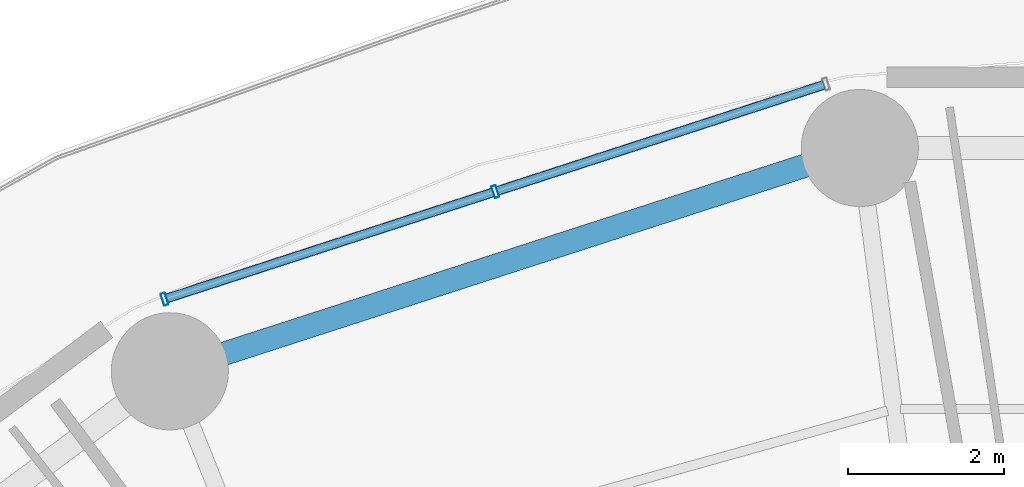
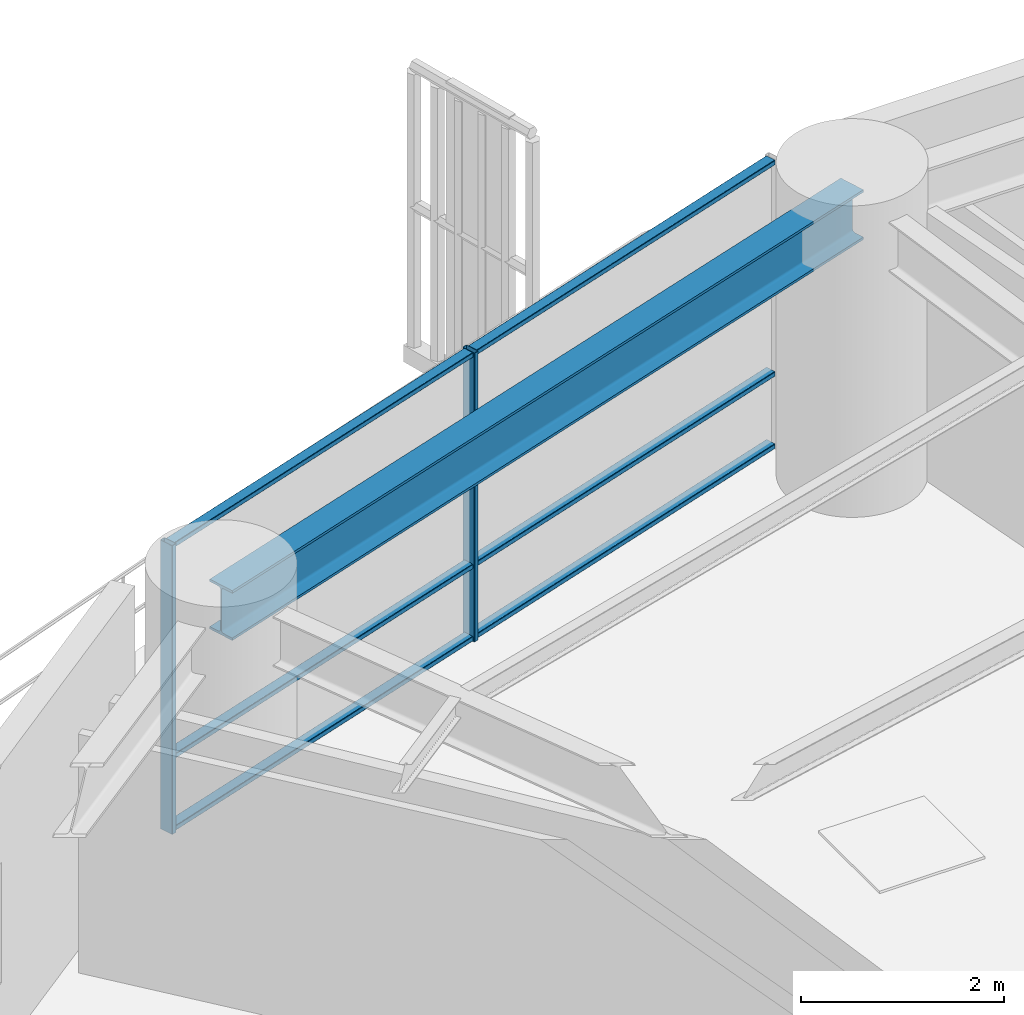
# One storey, part 17 of 32: 8 members, 1 beam, 1 element without a shape of its own.
"""IFC4 building model written with IfcOpenShell, lengths in metres."""

from ifc_helpers import new_model, si_unit, direction, frame, origin, origin_2d, place, context, subcontext, project, spatial, hollow_rectangle, i_section, extrude, material, layer, layer_set, material_profile, profile_set, type_object, element, aggregate, save


model = new_model("IFC4")

# Units and contexts
model_context = context("Model", 3, precision=1e-05, world=origin(), true_north=direction((0.0, 1.0)))
body_context = subcontext(model_context, "Body", "Model", "MODEL_VIEW")
ifc_project = project(units=[si_unit("LENGTHUNIT", "METRE"), si_unit("AREAUNIT", "SQUARE_METRE"), si_unit("VOLUMEUNIT", "CUBIC_METRE"), si_unit("PLANEANGLEUNIT", "RADIAN"), si_unit("MASSUNIT", "GRAM", prefix="KILO")], contexts=[model_context])

# Site, building, storey
site_placement = place(None, origin())
site = spatial("IfcSite", under=ifc_project, at=site_placement, CompositionType="ELEMENT")
building_placement = place(site_placement, origin())
building = spatial("IfcBuilding", under=site, at=building_placement, Name="Kelanora Arch Commons", CompositionType="ELEMENT")
storey_placement = place(building_placement, frame((0.0, 0.0, 60.0)))
storey = spatial("IfcBuildingStorey", under=building, at=storey_placement, Name="L15", CompositionType="ELEMENT", Elevation=60.0)

# Beam
ifc_material_1 = material(Name="Steel S355", Category="steel")
ifc_material_profile_1 = material_profile(ifc_material_1, i_section(OverallWidth=0.300048828125, OverallDepth=0.60009765625, WebThickness=0.015380859375, FlangeThickness=0.030029296875, FilletRadius=0.027099609375, at=origin_2d()), Name="HEB600")
ifc_profile_set_1 = profile_set([ifc_material_profile_1], Name="Steel S355")
beam_type = type_object("IfcBeamType", Name="BM-SPN-Z1", PredefinedType="SPANDREL", material=ifc_profile_set_1)
beam_placement = place(storey_placement, frame((69.297607421875, 81.714111328125, 3.18994140625), z_axis=(-0.951417120402, -0.307904957748, 0.0), x_axis=(0.307904957748, -0.951417120402, 0.0)))
element("IfcBeam", 1, at=beam_placement, inside=storey, type_object=beam_type, Name="Perimeter Spandrel Beam BS-10 L15", PredefinedType="SPANDREL", context=body_context, shape_type="SweptSolid", body=[
    extrude(i_section(OverallWidth=0.300048828125, OverallDepth=0.60009765625, WebThickness=0.015380859375, FlangeThickness=0.030029296875, FilletRadius=0.027099609375, at=origin_2d()), origin(), (0.0, 0.0, 1.0), 9.288818359375),
])

# Curtain wall, members
ifc_material_2 = material(Name="Terracotta ceramic-fritted low-E glass and aluminium", Category="masonry")
ifc_layer = layer(ifc_material_2, 0.159912109375)
ifc_layer_set = layer_set([ifc_layer], Name="Terracotta ceramic-fritted low-E glass and aluminium")
curtain_wall_type = type_object("IfcCurtainWallType", Name="CW-SYS-01", PredefinedType="NOTDEFINED", material=ifc_layer_set)
curtain_wall_placement = place(storey_placement, origin())
curtain_wall = element("IfcCurtainWall", 2, at=curtain_wall_placement, inside=storey, type_object=curtain_wall_type, Name="Unitised Curtain Wall L15-B05", PredefinedType="NOTDEFINED")
ifc_material_3 = material(Name="Powder-coated aluminium terracotta", Category="masonry")
ifc_material_profile_2 = material_profile(ifc_material_3, hollow_rectangle(XDim=0.159912109375, YDim=0.06005859375, WallThickness=0.0048828125, InnerFilletRadius=0.0048828125, OuterFilletRadius=0.010009765625, at=origin_2d()), Name="CWM160x60")
ifc_profile_set_2 = profile_set([ifc_material_profile_2], Name="Powder-coated aluminium terracotta")
member_type_1 = type_object("IfcMemberType", Name="CWM-STD", PredefinedType="MULLION", material=ifc_profile_set_2)
member_1_placement = place(storey_placement, frame((64.62890625, 81.15478515625, 0.0), z_axis=(0.0, 0.0, 1.0), x_axis=(0.30905758454, -0.951043326793, 0.0)))
member_1 = element("IfcMember", 3, at=member_1_placement, type_object=member_type_1, Name="CW-01 mullion 2", PredefinedType="MULLION", context=body_context, shape_type="SweptSolid", body=[
    extrude(hollow_rectangle(XDim=0.159912109375, YDim=0.06005859375, WallThickness=0.0048828125, InnerFilletRadius=0.0048828125, OuterFilletRadius=0.010009765625, at=origin_2d()), origin(), (0.0, 0.0, 1.0), 3.47509765625),
])
member_2_placement = place(storey_placement, frame((60.392333984375, 79.778076171875, 0.0), z_axis=(0.0, 0.0, 1.0), x_axis=(0.30905758454, -0.951043326793, 0.0)))
member_2 = element("IfcMember", 4, at=member_2_placement, type_object=member_type_1, Name="CW-01 mullion 3", PredefinedType="MULLION", context=body_context, shape_type="SweptSolid", body=[
    extrude(hollow_rectangle(XDim=0.159912109375, YDim=0.06005859375, WallThickness=0.0048828125, InnerFilletRadius=0.0048828125, OuterFilletRadius=0.010009765625, at=origin_2d()), origin(), (0.0, 0.0, 1.0), 3.47509765625),
])
ifc_material_profile_3 = material_profile(ifc_material_3, hollow_rectangle(XDim=0.1201171875, YDim=0.06005859375, WallThickness=0.0048828125, InnerFilletRadius=0.0048828125, OuterFilletRadius=0.010009765625, at=origin_2d()), Name="CWT120x60")
ifc_profile_set_3 = profile_set([ifc_material_profile_3], Name="Powder-coated aluminium terracotta")
member_type_2 = type_object("IfcMemberType", Name="CWT-STD", PredefinedType="USERDEFINED", material=ifc_profile_set_3)
member_3_placement = place(storey_placement, frame((68.8369140625, 82.5224609375, 0.030029296875), z_axis=(-0.951028761285, -0.309102402464, 0.0), x_axis=(0.309102402464, -0.951028761285, 0.0)))
member_3 = element("IfcMember", 5, at=member_3_placement, type_object=member_type_2, Name="CW-01 transom 1.1", ObjectType="TRANSOM", PredefinedType="USERDEFINED", context=body_context, shape_type="SweptSolid", body=[
    extrude(hollow_rectangle(XDim=0.1201171875, YDim=0.06005859375, WallThickness=0.0048828125, InnerFilletRadius=0.0048828125, OuterFilletRadius=0.010009765625, at=origin_2d()), origin(), (0.0, 0.0, 1.0), 4.394775390625),
])
member_4_placement = place(storey_placement, frame((68.8369140625, 82.5224609375, 0.89990234375), z_axis=(-0.951028761285, -0.309102402464, 0.0), x_axis=(0.309102402464, -0.951028761285, 0.0)))
member_4 = element("IfcMember", 6, at=member_4_placement, type_object=member_type_2, Name="CW-01 transom 1.2", ObjectType="TRANSOM", PredefinedType="USERDEFINED", context=body_context, shape_type="SweptSolid", body=[
    extrude(hollow_rectangle(XDim=0.1201171875, YDim=0.06005859375, WallThickness=0.0048828125, InnerFilletRadius=0.0048828125, OuterFilletRadius=0.010009765625, at=origin_2d()), origin(), (0.0, 0.0, 1.0), 4.394775390625),
])
member_5_placement = place(storey_placement, frame((68.8369140625, 82.5224609375, 3.445068359375), z_axis=(-0.951028761285, -0.309102402464, 0.0), x_axis=(0.309102402464, -0.951028761285, 0.0)))
member_5 = element("IfcMember", 7, at=member_5_placement, type_object=member_type_2, Name="CW-01 transom 1.3", ObjectType="TRANSOM", PredefinedType="USERDEFINED", context=body_context, shape_type="SweptSolid", body=[
    extrude(hollow_rectangle(XDim=0.1201171875, YDim=0.06005859375, WallThickness=0.0048828125, InnerFilletRadius=0.0048828125, OuterFilletRadius=0.010009765625, at=origin_2d()), origin(), (0.0, 0.0, 1.0), 4.394775390625),
])
member_6_placement = place(storey_placement, frame((64.600341796875, 81.1455078125, 0.030029296875), z_axis=(-0.951045091182, -0.309052155047, 0.0), x_axis=(0.309052155047, -0.951045091182, 0.0)))
member_6 = element("IfcMember", 8, at=member_6_placement, type_object=member_type_2, Name="CW-01 transom 2.1", ObjectType="TRANSOM", PredefinedType="USERDEFINED", context=body_context, shape_type="SweptSolid", body=[
    extrude(hollow_rectangle(XDim=0.1201171875, YDim=0.06005859375, WallThickness=0.0048828125, InnerFilletRadius=0.0048828125, OuterFilletRadius=0.010009765625, at=origin_2d()), origin(), (0.0, 0.0, 1.0), 4.39453125),
])
member_7_placement = place(storey_placement, frame((64.600341796875, 81.1455078125, 0.89990234375), z_axis=(-0.951045091182, -0.309052155047, 0.0), x_axis=(0.309052155047, -0.951045091182, 0.0)))
member_7 = element("IfcMember", 9, at=member_7_placement, type_object=member_type_2, Name="CW-01 transom 2.2", ObjectType="TRANSOM", PredefinedType="USERDEFINED", context=body_context, shape_type="SweptSolid", body=[
    extrude(hollow_rectangle(XDim=0.1201171875, YDim=0.06005859375, WallThickness=0.0048828125, InnerFilletRadius=0.0048828125, OuterFilletRadius=0.010009765625, at=origin_2d()), origin(), (0.0, 0.0, 1.0), 4.39453125),
])
member_8_placement = place(storey_placement, frame((64.600341796875, 81.1455078125, 3.445068359375), z_axis=(-0.951045091182, -0.309052155047, 0.0), x_axis=(0.309052155047, -0.951045091182, 0.0)))
member_8 = element("IfcMember", 10, at=member_8_placement, type_object=member_type_2, Name="CW-01 transom 2.3", ObjectType="TRANSOM", PredefinedType="USERDEFINED", context=body_context, shape_type="SweptSolid", body=[
    extrude(hollow_rectangle(XDim=0.1201171875, YDim=0.06005859375, WallThickness=0.0048828125, InnerFilletRadius=0.0048828125, OuterFilletRadius=0.010009765625, at=origin_2d()), origin(), (0.0, 0.0, 1.0), 4.39453125),
])
aggregate(curtain_wall, [member_1, member_2, member_3, member_4, member_5, member_6, member_7, member_8])

save(model, "model.ifc")
